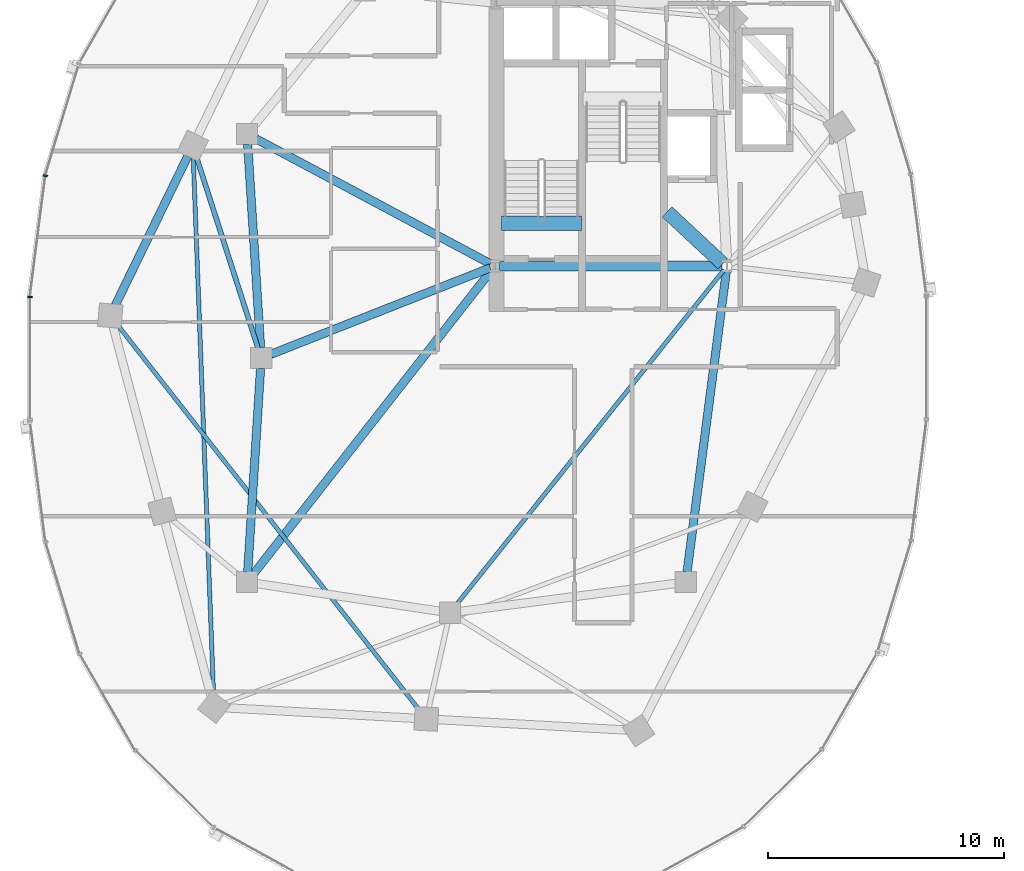
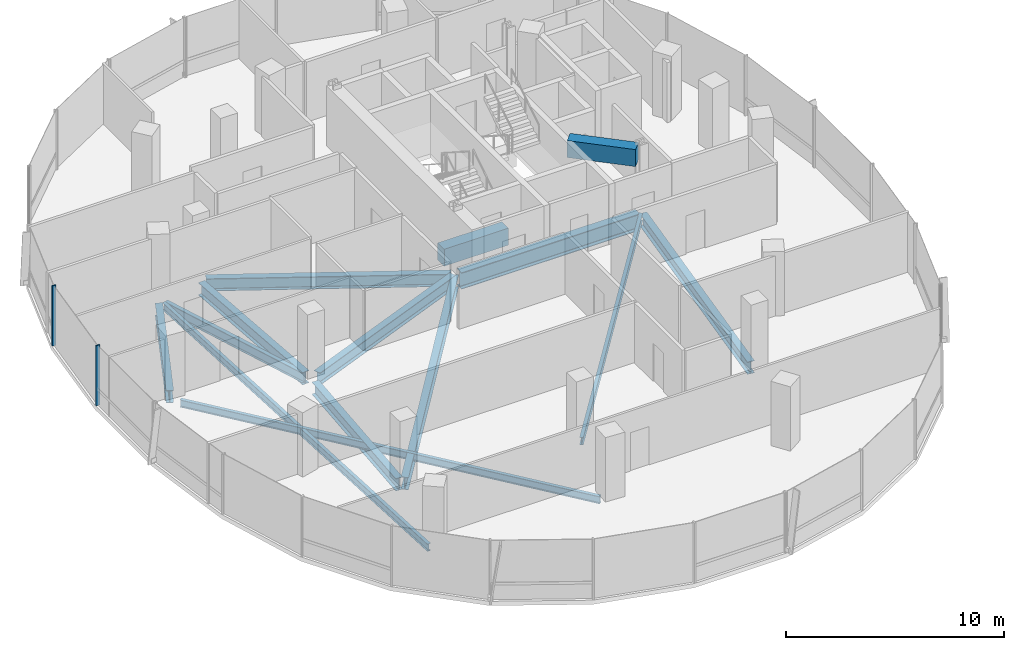
# One storey, part 3 of 23: 14 beams, 2 members, 1 element without a shape of its own.
"""IFC4 building model written with IfcOpenShell, lengths in metres."""

from ifc_helpers import new_model, si_unit, direction, frame, origin, origin_2d, place, context, subcontext, project, spatial, rectangle, i_section, extrude, material, material_profile, profile_set, type_object, element, aggregate, save


model = new_model("IFC4")

# Units and contexts
model_context = context("Model", 3, precision=1e-05, world=origin(), true_north=direction((0.0, 1.0)))
body_context = subcontext(model_context, "Body", "Model", "MODEL_VIEW")
ifc_project = project(units=[si_unit("LENGTHUNIT", "METRE"), si_unit("AREAUNIT", "SQUARE_METRE"), si_unit("VOLUMEUNIT", "CUBIC_METRE"), si_unit("PLANEANGLEUNIT", "RADIAN"), si_unit("MASSUNIT", "GRAM", prefix="KILO"), si_unit("THERMODYNAMICTEMPERATUREUNIT", "KELVIN"), si_unit("POWERUNIT", "WATT")], contexts=[model_context])

# Site, building, storey
site_placement = place(None, origin())
site = spatial("IfcSite", under=ifc_project, at=site_placement, CompositionType="ELEMENT")
building_placement = place(site_placement, origin())
building = spatial("IfcBuilding", under=site, at=building_placement, Name="Cundina Bronze Exchange", CompositionType="ELEMENT")
storey_placement = place(building_placement, frame((0.0, 0.0, 176.39990234375)))
storey = spatial("IfcBuildingStorey", under=building, at=storey_placement, Name="L46", CompositionType="ELEMENT", Elevation=176.39990234375)

# Beams
ifc_material_1 = material(Name="Concrete C60/75", Category="concrete")
ifc_material_profile_1 = material_profile(ifc_material_1, rectangle(XDim=0.60009765625, YDim=0.949951171875, at=origin_2d()), Name="RC600X950", Category="concrete")
ifc_profile_set_1 = profile_set([ifc_material_profile_1], Name="Concrete C60/75")
beam_type_1 = type_object("IfcBeamType", Name="BM-COUP-RC950", PredefinedType="LINTEL", material=ifc_profile_set_1)
beam_1_placement = place(storey_placement, frame((-31.02001953125, 5.719970703125, -0.474853515625), z_axis=(1.0, 0.0, 0.0), x_axis=(0.0, 1.0, 0.0)))
element("IfcBeam", 1, at=beam_1_placement, inside=storey, type_object=beam_type_1, Name="L46 Stair W1 Landing Header Beam", PredefinedType="LINTEL", context=body_context, shape_type="SweptSolid", body=[
    extrude(rectangle(XDim=0.60009765625, YDim=0.949951171875, at=origin_2d()), origin(), (0.0, 0.0, 1.0), 3.39990234375),
])
beam_2_placement = place(storey_placement, frame((-23.989990234375, 6.199951171875, 2.885009765625), z_axis=(0.731490439815, -0.681851696822, 0.0), x_axis=(0.681851696822, 0.731490439815, 0.0)))
element("IfcBeam", 2, at=beam_2_placement, inside=storey, type_object=beam_type_1, Name="L46 W Core Shear Coupling Lintel Beam", PredefinedType="LINTEL", context=body_context, shape_type="SweptSolid", body=[
    extrude(rectangle(XDim=0.60009765625, YDim=0.949951171875, at=origin_2d()), origin(), (0.0, 0.0, 1.0), 3.226318359375),
])
ifc_material_2 = material(Name="Steel ASTM A992 Grade 50", Category="steel")
ifc_material_profile_2 = material_profile(ifc_material_2, i_section(OverallWidth=0.2119140625, OverallDepth=0.5439453125, WebThickness=0.01318359375, FlangeThickness=0.021240234375, FilletRadius=0.013916015625, at=origin_2d()), Name="W21X83", Category="steel")
ifc_profile_set_2 = profile_set([ifc_material_profile_2], Name="Steel ASTM A992 Grade 50")
beam_type_2 = type_object("IfcBeamType", Name="BM-FLR-W21A", PredefinedType="BEAM", material=ifc_profile_set_2)
beam_3_placement = place(storey_placement, frame((-41.334228515625, 0.4169921875, -0.511962890625), z_axis=(-0.30669751302, 0.951807036908, 0.0), x_axis=(-0.951807036908, -0.30669751302, 0.0)))
element("IfcBeam", 3, at=beam_3_placement, inside=storey, type_object=beam_type_2, Name="L46 Leg W Radial Floor Beam 07", PredefinedType="BEAM", context=body_context, shape_type="SweptSolid", body=[
    extrude(i_section(OverallWidth=0.2119140625, OverallDepth=0.5439453125, WebThickness=0.01318359375, FlangeThickness=0.021240234375, FilletRadius=0.013916015625, at=origin_2d()), origin(), (0.0, 0.0, 1.0), 8.529541015625),
])
ifc_material_profile_3 = material_profile(ifc_material_2, i_section(OverallWidth=0.178955078125, OverallDepth=0.409912109375, WebThickness=0.0087890625, FlangeThickness=0.014404296875, FilletRadius=0.010986328125, at=origin_2d()), Name="W16X45", Category="steel")
ifc_profile_set_3 = profile_set([ifc_material_profile_3], Name="Steel ASTM A992 Grade 50")
beam_type_3 = type_object("IfcBeamType", Name="BM-JST-W16", PredefinedType="JOIST", material=ifc_profile_set_3)
beam_4_placement = place(storey_placement, frame((-21.577392578125, 3.740478515625, -0.44482421875), z_axis=(-0.624370675223, -0.781128196854, 0.0), x_axis=(0.781128196854, -0.624370675223, 0.0)))
element("IfcBeam", 4, at=beam_4_placement, inside=storey, type_object=beam_type_3, Name="L46 W Interior Core-to-Ring Joist 2", PredefinedType="JOIST", context=body_context, shape_type="SweptSolid", body=[
    extrude(i_section(OverallWidth=0.178955078125, OverallDepth=0.409912109375, WebThickness=0.0087890625, FlangeThickness=0.014404296875, FilletRadius=0.010986328125, at=origin_2d()), origin(), (0.0, 0.0, 1.0), 18.177001953125),
])
beam_5_placement = place(storey_placement, frame((-44.08154296875, 8.51220703125, -0.44482421875), z_axis=(0.037784933381, -0.999285894431, 0.0), x_axis=(0.999285894431, 0.037784933381, 0.0)))
element("IfcBeam", 5, at=beam_5_placement, inside=storey, type_object=beam_type_3, Name="L46 Leg W Lobe Floor Joist 07-10", PredefinedType="JOIST", context=body_context, shape_type="SweptSolid", body=[
    extrude(i_section(OverallWidth=0.178955078125, OverallDepth=0.409912109375, WebThickness=0.0087890625, FlangeThickness=0.014404296875, FilletRadius=0.010986328125, at=origin_2d()), origin(), (0.0, 0.0, 1.0), 22.8408203125),
])
beam_6_placement = place(storey_placement, frame((-47.299072265625, 1.416015625, -0.44482421875), z_axis=(0.616801484103, -0.787118751656, 0.0), x_axis=(0.787118751656, 0.616801484103, 0.0)))
element("IfcBeam", 6, at=beam_6_placement, inside=storey, type_object=beam_type_3, Name="L46 Leg W Lobe Floor Joist 08-11", PredefinedType="JOIST", context=body_context, shape_type="SweptSolid", body=[
    extrude(i_section(OverallWidth=0.178955078125, OverallDepth=0.409912109375, WebThickness=0.0087890625, FlangeThickness=0.014404296875, FilletRadius=0.010986328125, at=origin_2d()), origin(), (0.0, 0.0, 1.0), 20.7490234375),
])
ifc_material_profile_4 = material_profile(ifc_material_2, i_section(OverallWidth=0.35498046875, OverallDepth=0.695068359375, WebThickness=0.015380859375, FlangeThickness=0.02490234375, FilletRadius=0.01806640625, at=origin_2d()), Name="W27X146", Category="steel")
ifc_profile_set_4 = profile_set([ifc_material_profile_4], Name="Steel ASTM A992 Grade 50")
beam_type_4 = type_object("IfcBeamType", Name="BM-RING-W27", PredefinedType="USERDEFINED", material=ifc_profile_set_4)
for number, where, z_axis, x_axis, name in (
    (7, (-41.7724609375, 9.06298828125, -0.58740234375), (0.063046519736, -0.998010589297, 0.0), (0.998010589297, 0.063046519736, 0.0), "L46 W Inner Structural Ring Girder 03"),
    (8, (-41.2275390625, -0.43701171875, -0.58740234375), (-0.063046519736, -0.998010589297, 0.0), (0.998010589297, -0.063046519736, 0.0), "L46 W Inner Structural Ring Girder 04"),
):
    element("IfcBeam", number, at=place(storey_placement, frame(where, z_axis=z_axis, x_axis=x_axis)), inside=storey, type_object=beam_type_4, Name=name, ObjectType="GIRDER", PredefinedType="USERDEFINED", context=body_context, shape_type="SweptSolid", body=[
        extrude(i_section(OverallWidth=0.35498046875, OverallDepth=0.695068359375, WebThickness=0.015380859375, FlangeThickness=0.02490234375, FilletRadius=0.01806640625, at=origin_2d()), origin(), (0.0, 0.0, 1.0), 8.64306640625),
    ])
beam_7_placement = place(storey_placement, frame((-23.143310546875, -9.065673828125, -0.58740234375), z_axis=(0.129507030047, 0.991578503785, 0.0), x_axis=(-0.991578503785, 0.129507030047, 0.0)))
element("IfcBeam", 9, at=beam_7_placement, inside=storey, type_object=beam_type_4, Name="L46 W Inner Structural Ring Girder 07", ObjectType="GIRDER", PredefinedType="USERDEFINED", context=body_context, shape_type="SweptSolid", body=[
    extrude(i_section(OverallWidth=0.35498046875, OverallDepth=0.695068359375, WebThickness=0.015380859375, FlangeThickness=0.02490234375, FilletRadius=0.01806640625, at=origin_2d()), origin(), (0.0, 0.0, 1.0), 12.871826171875),
])
beam_8_placement = place(storey_placement, frame((-31.48974609375, 3.8251953125, -0.58740234375), z_axis=(-0.930405617189, -0.36653156413, 0.0), x_axis=(0.36653156413, -0.930405617189, 0.0)))
element("IfcBeam", 10, at=beam_8_placement, inside=storey, type_object=beam_type_4, Name="L46 W Core-to-Waist Tie Beam 1", ObjectType="GIRDER", PredefinedType="USERDEFINED", context=body_context, shape_type="SweptSolid", body=[
    extrude(i_section(OverallWidth=0.35498046875, OverallDepth=0.695068359375, WebThickness=0.015380859375, FlangeThickness=0.02490234375, FilletRadius=0.01806640625, at=origin_2d()), origin(), (0.0, 0.0, 1.0), 9.99853515625),
])
beam_9_placement = place(storey_placement, frame((-31.47998046875, 3.99609375, -0.58740234375), z_axis=(-0.88235534237, 0.470583733028, 0.0), x_axis=(-0.470583733028, -0.88235534237, 0.0)))
element("IfcBeam", 11, at=beam_9_placement, inside=storey, type_object=beam_type_4, Name="L46 W Core-to-Waist Tie Beam 2", ObjectType="GIRDER", PredefinedType="USERDEFINED", context=body_context, shape_type="SweptSolid", body=[
    extrude(i_section(OverallWidth=0.35498046875, OverallDepth=0.695068359375, WebThickness=0.015380859375, FlangeThickness=0.02490234375, FilletRadius=0.01806640625, at=origin_2d()), origin(), (0.0, 0.0, 1.0), 11.258056640625),
])
beam_10_placement = place(storey_placement, frame((-31.42578125, 3.739501953125, -0.58740234375), z_axis=(-0.616779109924, -0.787136283982, 0.0), x_axis=(0.787136283982, -0.616779109924, 0.0)))
element("IfcBeam", 12, at=beam_10_placement, inside=storey, type_object=beam_type_4, Name="L46 W Core-to-Waist Tie Beam 3", ObjectType="GIRDER", PredefinedType="USERDEFINED", context=body_context, shape_type="SweptSolid", body=[
    extrude(i_section(OverallWidth=0.35498046875, OverallDepth=0.695068359375, WebThickness=0.015380859375, FlangeThickness=0.02490234375, FilletRadius=0.01806640625, at=origin_2d()), origin(), (0.0, 0.0, 1.0), 16.3818359375),
])
beam_11_placement = place(storey_placement, frame((-44.3134765625, 8.56103515625, -0.58740234375), z_axis=(-0.437196998825, -0.89936576776, 0.0), x_axis=(0.89936576776, -0.437196998825, 0.0)))
element("IfcBeam", 13, at=beam_11_placement, inside=storey, type_object=beam_type_4, Name="L46 W Perimeter Ring Girder 07", ObjectType="GIRDER", PredefinedType="USERDEFINED", context=body_context, shape_type="SweptSolid", body=[
    extrude(i_section(OverallWidth=0.35498046875, OverallDepth=0.695068359375, WebThickness=0.015380859375, FlangeThickness=0.02490234375, FilletRadius=0.01806640625, at=origin_2d()), origin(), (0.0, 0.0, 1.0), 7.029541015625),
])
ifc_material_profile_5 = material_profile(ifc_material_2, i_section(OverallWidth=0.41796875, OverallDepth=0.927001953125, WebThickness=0.019287109375, FlangeThickness=0.031982421875, FilletRadius=0.02392578125, at=origin_2d()), Name="W36X231", Category="steel")
ifc_profile_set_5 = profile_set([ifc_material_profile_5], Name="Steel ASTM A992 Grade 50")
beam_type_5 = type_object("IfcBeamType", Name="BM-WRN-W36B", PredefinedType="USERDEFINED", material=ifc_profile_set_5)
beam_12_placement = place(storey_placement, frame((-31.095947265625, 3.89990234375, -0.703369140625), z_axis=(1.0, 0.0, 0.0), x_axis=(0.0, 1.0, 0.0)))
element("IfcBeam", 14, at=beam_12_placement, inside=storey, type_object=beam_type_5, Name="L46 W Core Perimeter Tie Girder 1", ObjectType="GIRDER", PredefinedType="USERDEFINED", context=body_context, shape_type="SweptSolid", body=[
    extrude(i_section(OverallWidth=0.41796875, OverallDepth=0.927001953125, WebThickness=0.019287109375, FlangeThickness=0.031982421875, FilletRadius=0.02392578125, at=origin_2d()), origin(), (0.0, 0.0, 1.0), 9.44189453125),
])

# Curtain wall, members
ifc_material_3 = material(Name="Anodised Bronze Aluminium 6063-T6", Category="aluminium")
curtain_wall_type = type_object("IfcCurtainWallType", Name="CWS-WST-PIN", PredefinedType="NOTDEFINED", material=ifc_material_3)
curtain_wall_placement = place(storey_placement, origin())
curtain_wall = element("IfcCurtainWall", 15, at=curtain_wall_placement, inside=storey, type_object=curtain_wall_type, Name="L46 CW-04 Curtain Wall Run CWR-L46-W2", PredefinedType="NOTDEFINED")
ifc_material_profile_6 = material_profile(ifc_material_3, rectangle(XDim=0.070068359375, YDim=0.18994140625, at=origin_2d()), Name="AL70X190", Category="aluminium")
ifc_profile_set_6 = profile_set([ifc_material_profile_6], Name="Anodised Bronze Aluminium 6063-T6")
member_type = type_object("IfcMemberType", Name="CWM-MUL-190", PredefinedType="MULLION", material=ifc_profile_set_6)
member_1_placement = place(storey_placement, frame((-50.357177734375, 7.731689453125, 0.0), z_axis=(0.0, 0.0, 1.0), x_axis=(-0.126545236492, -0.991960837494, 0.0)))
member_1 = element("IfcMember", 16, at=member_1_placement, type_object=member_type, Name="CW-04 Mullion 6", PredefinedType="MULLION", context=body_context, shape_type="SweptSolid", body=[
    extrude(rectangle(XDim=0.070068359375, YDim=0.18994140625, at=origin_2d()), origin(), (0.0, 0.0, 1.0), 3.360107421875),
])
member_2_placement = place(storey_placement, frame((-51.007080078125, 2.593017578125, 0.0), z_axis=(0.0, 0.0, 1.0), x_axis=(0.0, -1.0, 0.0)))
member_2 = element("IfcMember", 17, at=member_2_placement, type_object=member_type, Name="CW-04 Mullion 7", PredefinedType="MULLION", context=body_context, shape_type="SweptSolid", body=[
    extrude(rectangle(XDim=0.070068359375, YDim=0.18994140625, at=origin_2d()), origin(), (0.0, 0.0, 1.0), 3.360107421875),
])
aggregate(curtain_wall, [member_1, member_2])

save(model, "model.ifc")
